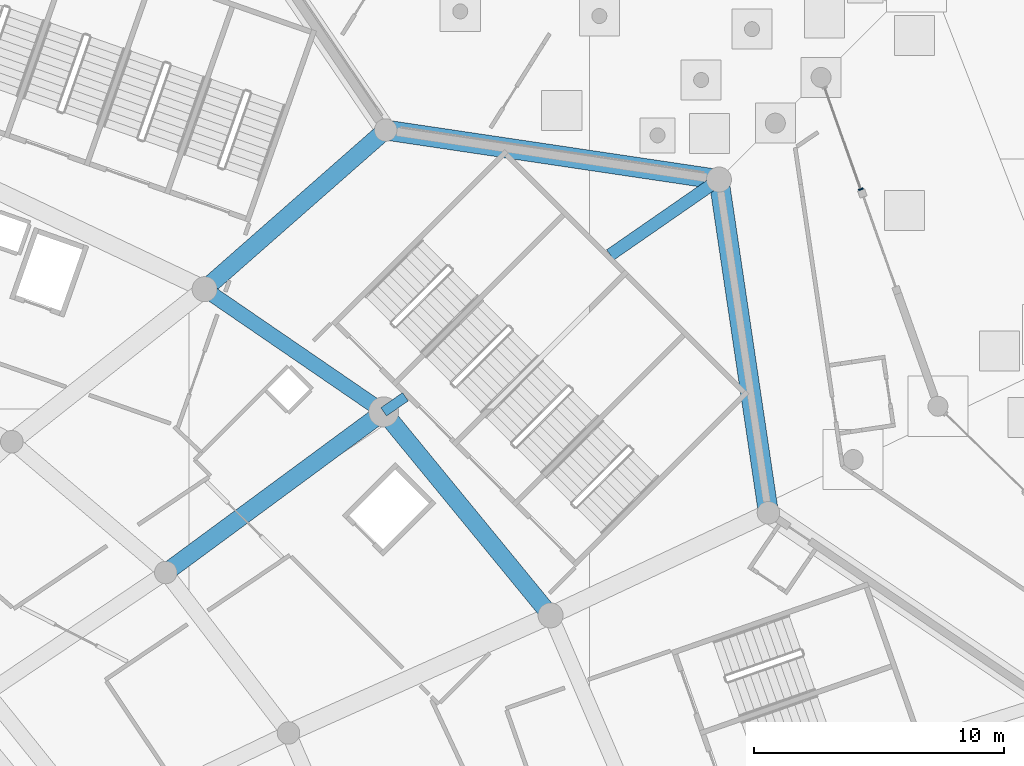
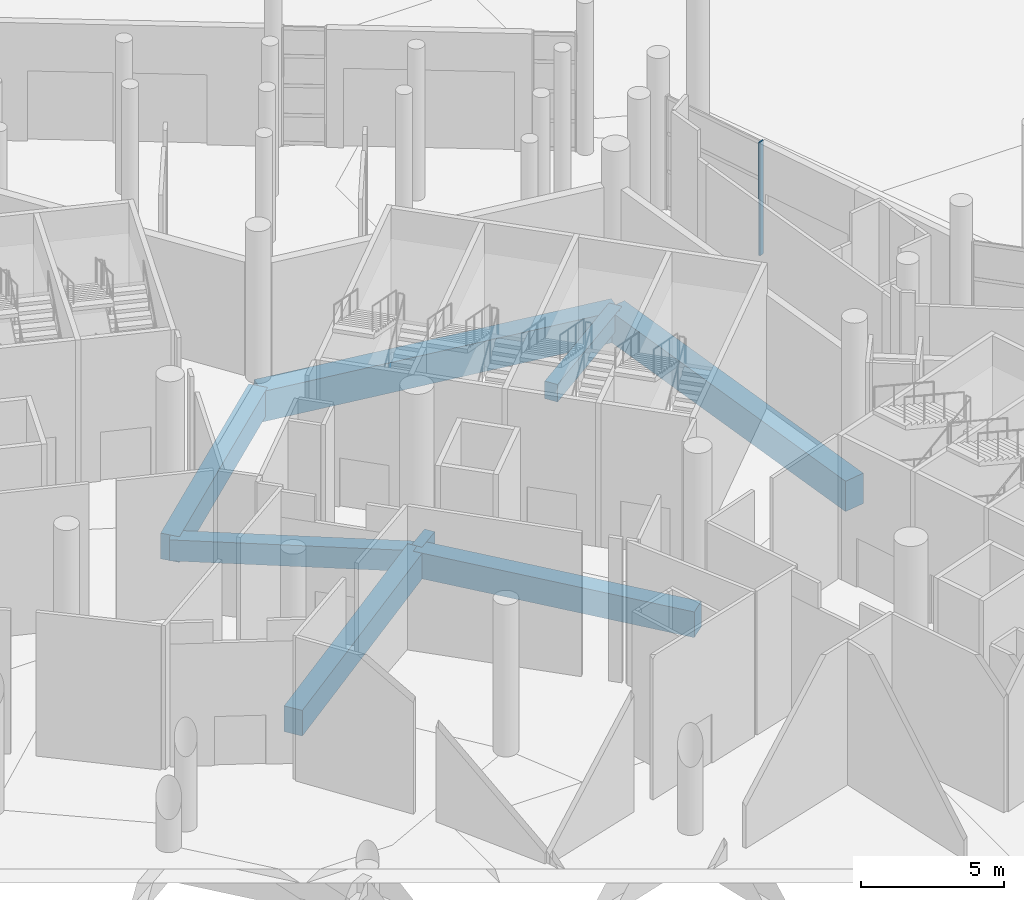
# One storey, part 65 of 255: 8 beams, 1 member, 1 element without a shape of its own.
"""IFC4 building model written with IfcOpenShell, lengths in metres."""

from ifc_helpers import new_model, si_unit, direction, frame, origin, origin_2d, place, context, subcontext, project, spatial, rectangle, extrude, material, layer, layer_set, material_profile, profile_set, type_object, element, aggregate, save


model = new_model("IFC4")

# Units and contexts
model_context = context("Model", 3, precision=1e-05, world=origin(), true_north=direction((0.0, 1.0)))
body_context = subcontext(model_context, "Body", "Model", "MODEL_VIEW")
ifc_project = project(units=[si_unit("LENGTHUNIT", "METRE"), si_unit("AREAUNIT", "SQUARE_METRE"), si_unit("VOLUMEUNIT", "CUBIC_METRE"), si_unit("PLANEANGLEUNIT", "RADIAN"), si_unit("MASSUNIT", "GRAM", prefix="KILO")], contexts=[model_context])

# Site, building, storey
site_placement = place(None, origin())
site = spatial("IfcSite", under=ifc_project, at=site_placement, CompositionType="ELEMENT")
building_placement = place(site_placement, origin())
building = spatial("IfcBuilding", under=site, at=building_placement, Name="Meseta Stadium", CompositionType="ELEMENT")
storey_placement = place(building_placement, origin())
storey = spatial("IfcBuildingStorey", under=building, at=storey_placement, Name="L00", CompositionType="ELEMENT", Elevation=0.0)

# Beams
ifc_material_1 = material(Name="Concrete C40/50", Category="concrete")
ifc_material_profile_1 = material_profile(ifc_material_1, rectangle(XDim=0.39990234375, YDim=0.60009765625, at=origin_2d()), Name="RC 400x600")
ifc_profile_set_1 = profile_set([ifc_material_profile_1], Name="Concrete C40/50")
beam_type_1 = type_object("IfcBeamType", Name="RC beam 400x600", PredefinedType="BEAM", material=ifc_profile_set_1)
beam_1_placement = place(storey_placement, frame((71.775390625, 79.888916015625, -0.699951171875), z_axis=(0.821959126475, 0.569546481337, 0.0), x_axis=(-0.569546481337, 0.821959126475, 0.0)))
element("IfcBeam", 1, at=beam_1_placement, inside=storey, type_object=beam_type_1, Name="L00 radial beam frame 12 line P to R", PredefinedType="BEAM", context=body_context, shape_type="SweptSolid", body=[
    extrude(rectangle(XDim=0.39990234375, YDim=0.60009765625, at=origin_2d()), origin(), (0.0, 0.0, 1.0), 1.05615234375),
])
ifc_material_2 = material(Name="Concrete C40/50", Category="concrete")
ifc_material_profile_2 = material_profile(ifc_material_2, rectangle(XDim=0.5, YDim=0.75, at=origin_2d()), Name="RC 500x750")
ifc_profile_set_2 = profile_set([ifc_material_profile_2], Name="Concrete C40/50")
beam_type_2 = type_object("IfcBeamType", Name="RC beam 500x750", PredefinedType="BEAM", material=ifc_profile_set_2)
beam_2_placement = place(storey_placement, frame((80.830078125, 86.16357421875, -0.77490234375), z_axis=(0.821929323184, 0.569589490503, 0.0), x_axis=(-0.569589490503, 0.821929323184, 0.0)))
element("IfcBeam", 2, at=beam_2_placement, inside=storey, type_object=beam_type_2, Name="L00 radial beam frame 12 line P to R", PredefinedType="BEAM", context=body_context, shape_type="SweptSolid", body=[
    extrude(rectangle(XDim=0.5, YDim=0.75, at=origin_2d()), origin(), (0.0, 0.0, 1.0), 5.284423828125),
])
ifc_material_3 = material(Name="Concrete C40/50", Category="concrete")
ifc_material_profile_3 = material_profile(ifc_material_3, rectangle(XDim=0.60009765625, YDim=0.89990234375, at=origin_2d()), Name="RC 600x900")
ifc_profile_set_3 = profile_set([ifc_material_profile_3], Name="Concrete C40/50")
beam_type_3 = type_object("IfcBeamType", Name="RC beam 600x900", PredefinedType="BEAM", material=ifc_profile_set_3)
beam_3_placement = place(storey_placement, frame((71.775390625, 79.888916015625, -0.85009765625), z_axis=(-0.824813247637, 0.565405258662, 0.0), x_axis=(-0.565405258662, -0.824813247637, 0.0)))
element("IfcBeam", 3, at=beam_3_placement, inside=storey, type_object=beam_type_3, Name="L00 ring beam frame 12 line P", PredefinedType="BEAM", context=body_context, shape_type="SweptSolid", body=[
    extrude(rectangle(XDim=0.60009765625, YDim=0.89990234375, at=origin_2d()), origin(), (0.0, 0.0, 1.0), 8.672607421875),
])
ifc_material_4 = material(Name="Concrete C40/50", Category="concrete")
ifc_material_profile_4 = material_profile(ifc_material_4, rectangle(XDim=0.699951171875, YDim=1.10009765625, at=origin_2d()), Name="RC 700x1100")
ifc_profile_set_4 = profile_set([ifc_material_profile_4], Name="Concrete C40/50")
beam_type_4 = type_object("IfcBeamType", Name="RC beam 700x1100", PredefinedType="BEAM", material=ifc_profile_set_4)
beam_4_placement = place(storey_placement, frame((78.4453125, 71.756103515625, -0.949951171875), z_axis=(-0.634137323649, 0.773220443829, 0.0), x_axis=(-0.773220443829, -0.634137323649, 0.0)))
element("IfcBeam", 4, at=beam_4_placement, inside=storey, type_object=beam_type_4, Name="L00 ring beam frame 11 line P", PredefinedType="BEAM", context=body_context, shape_type="SweptSolid", body=[
    extrude(rectangle(XDim=0.699951171875, YDim=1.10009765625, at=origin_2d()), origin(), (0.0, 0.0, 1.0), 10.51806640625),
])
beam_5_placement = place(storey_placement, frame((63.068115234375, 73.469970703125, -0.949951171875), z_axis=(0.804920808124, 0.593382248344, 0.0), x_axis=(-0.593382248344, 0.804920808124, 0.0)))
element("IfcBeam", 5, at=beam_5_placement, inside=storey, type_object=beam_type_4, Name="L00 radial beam frame 12 line E to P", PredefinedType="BEAM", context=body_context, shape_type="SweptSolid", body=[
    extrude(rectangle(XDim=0.699951171875, YDim=1.10009765625, at=origin_2d()), origin(), (0.0, 0.0, 1.0), 10.817626953125),
])
beam_6_placement = place(storey_placement, frame((64.6220703125, 84.79248046875, -0.949951171875), z_axis=(0.751128714449, 0.66015578035, 0.0), x_axis=(-0.66015578035, 0.751128714449, 0.0)))
element("IfcBeam", 6, at=beam_6_placement, inside=storey, type_object=beam_type_4, Name="L00 radial beam frame 13 line P to R", PredefinedType="BEAM", context=body_context, shape_type="SweptSolid", body=[
    extrude(rectangle(XDim=0.699951171875, YDim=1.10009765625, at=origin_2d()), origin(), (0.0, 0.0, 1.0), 9.631591796875),
])
ifc_material_5 = material(Name="Concrete C40/50", Category="concrete")
ifc_material_profile_5 = material_profile(ifc_material_5, rectangle(XDim=0.800048828125, YDim=1.300048828125, at=origin_2d()), Name="RC 800x1300")
ifc_profile_set_5 = profile_set([ifc_material_profile_5], Name="Concrete C40/50")
beam_type_5 = type_object("IfcBeamType", Name="RC beam 800x1300", PredefinedType="BEAM", material=ifc_profile_set_5)
for number, where, z_axis, x_axis, name in (
    (7, (87.15087890625, 75.856689453125, -1.050048828125), (-0.146870032835, 0.989155798373, 0.0), (-0.989155798373, -0.146870032835, 0.0), "L00 ring beam frame 11 line R"),
    (8, (85.173583984375, 89.173583984375, -1.050048828125), (-0.989155798373, 0.146870032835, 0.0), (-0.146870032835, -0.989155798373, 0.0), "L00 ring beam frame 12 line R"),
):
    element("IfcBeam", number, at=place(storey_placement, frame(where, z_axis=z_axis, x_axis=x_axis)), inside=storey, type_object=beam_type_5, Name=name, PredefinedType="BEAM", context=body_context, shape_type="SweptSolid", body=[
        extrude(rectangle(XDim=0.800048828125, YDim=1.300048828125, at=origin_2d()), origin(), (0.0, 0.0, 1.0), 13.462890625),
    ])

# Curtain wall, member
ifc_material_6 = material(Name="Aluminium", Category="aluminium")
ifc_layer = layer(ifc_material_6, 0.199951171875)
ifc_layer_set = layer_set([ifc_layer], Name="Ring shopfront curtain wall")
curtain_wall_type = type_object("IfcCurtainWallType", Name="Ring shopfront curtain wall", PredefinedType="NOTDEFINED", material=ifc_layer_set)
curtain_wall_placement = place(storey_placement, origin())
curtain_wall = element("IfcCurtainWall", 9, at=curtain_wall_placement, inside=storey, type_object=curtain_wall_type, Name="Shopfront glazing F11b", PredefinedType="NOTDEFINED")
ifc_material_7 = material(Name="Aluminium", Category="aluminium")
ifc_material_profile_6 = material_profile(ifc_material_7, rectangle(XDim=0.199951171875, YDim=0.06005859375, at=origin_2d()), Name="CW 200x60")
ifc_profile_set_6 = profile_set([ifc_material_profile_6], Name="Aluminium")
member_type = type_object("IfcMemberType", Name="Ring CW mullion 60x200", PredefinedType="MULLION", material=ifc_profile_set_6)
member_placement = place(storey_placement, frame((90.843017578125, 88.78515625, 0.0), z_axis=(0.0, 0.0, 1.0), x_axis=(-0.942282835912, -0.334817946273, 0.0)))
member = element("IfcMember", 10, at=member_placement, type_object=member_type, Name="CWR1 mullion 1", PredefinedType="MULLION", context=body_context, shape_type="SweptSolid", body=[
    extrude(rectangle(XDim=0.199951171875, YDim=0.06005859375, at=origin_2d()), origin(), (0.0, 0.0, 1.0), 4.85009765625),
])
aggregate(curtain_wall, [member])

save(model, "model.ifc")
